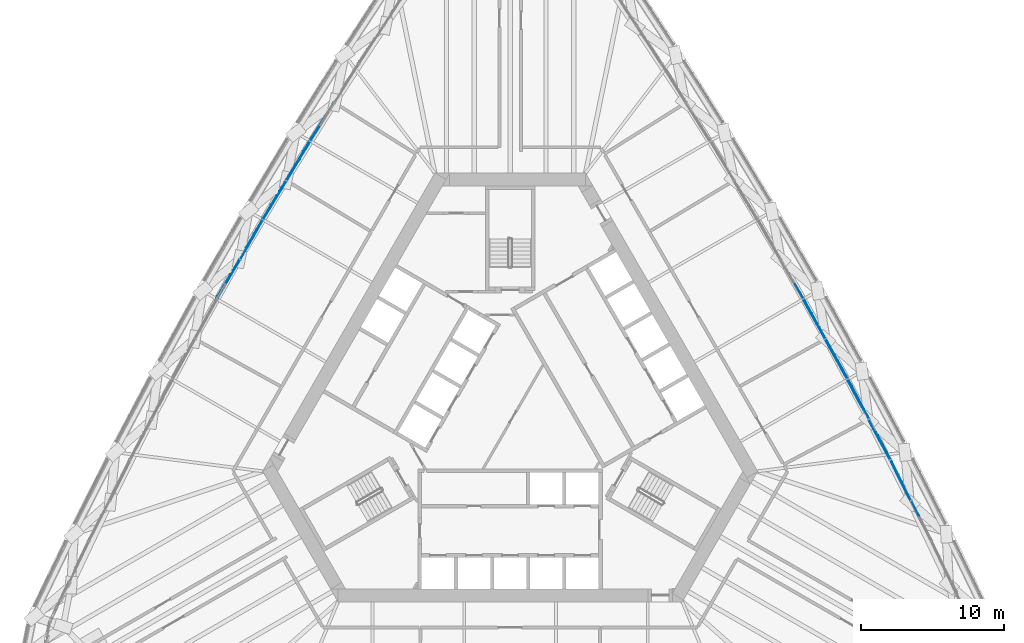
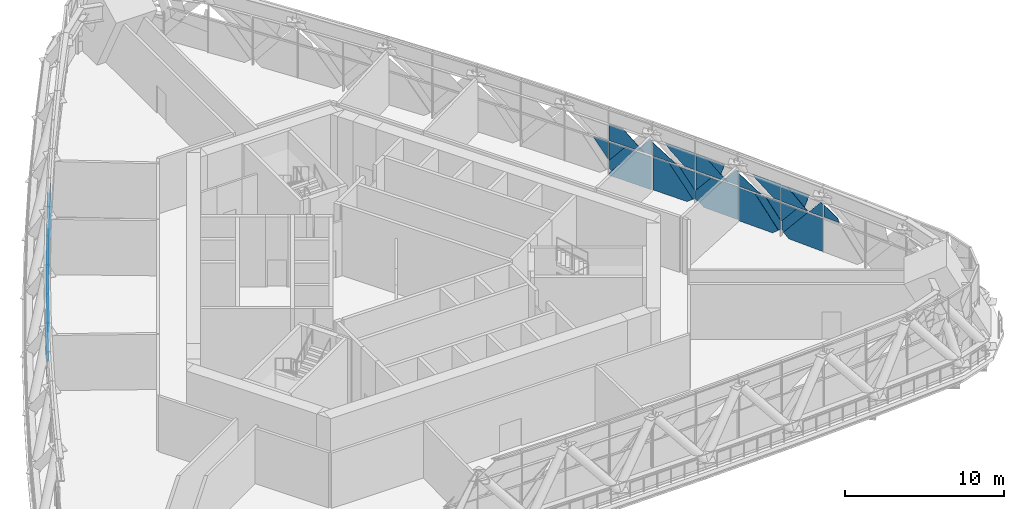
# One storey, part 17 of 43: 50 plates, 2 elements without a shape of their own.
"""IFC4 building model written with IfcOpenShell, lengths in metres."""

from ifc_helpers import new_model, si_unit, direction, frame, origin, place, context, subcontext, project, spatial, polyline, outline, extrude, material, layer, layer_set, type_object, element, aggregate, save


model = new_model("IFC4")

# Units and contexts
model_context = context("Model", 3, precision=1e-05, world=origin(), true_north=direction((0.0, 1.0)))
body_context = subcontext(model_context, "Body", "Model", "MODEL_VIEW")
ifc_project = project(units=[si_unit("LENGTHUNIT", "METRE"), si_unit("AREAUNIT", "SQUARE_METRE"), si_unit("VOLUMEUNIT", "CUBIC_METRE"), si_unit("PLANEANGLEUNIT", "RADIAN"), si_unit("MASSUNIT", "GRAM", prefix="KILO")], contexts=[model_context])

# Site, building, storey
site_placement = place(None, origin())
site = spatial("IfcSite", under=ifc_project, at=site_placement, CompositionType="ELEMENT")
building_placement = place(site_placement, origin())
building = spatial("IfcBuilding", under=site, at=building_placement, Name="Mestral Congress Tower", CompositionType="ELEMENT")
storey_placement = place(building_placement, frame((0.0, 0.0, 78.300048828125)))
storey = spatial("IfcBuildingStorey", under=building, at=storey_placement, Name="L18", CompositionType="ELEMENT", Elevation=78.300048828125)

# Curtain wall, plates
ifc_material_1 = material(Name="Clear low-emissivity double glazing", Category="glass")
curtain_wall_type = type_object("IfcCurtainWallType", Name="Facade refuge band screen", PredefinedType="USERDEFINED", material=ifc_material_1)
placement = place(storey_placement, origin())
curtain_wall_1 = element("IfcCurtainWall", 1, at=placement, inside=storey, type_object=curtain_wall_type, Name="Facade refuge band screen face 2", ObjectType="CURTAIN WALL", PredefinedType="USERDEFINED")
ifc_material_2 = material(Name="Anodised aluminium", Category="aluminium")
ifc_layer_1 = layer(ifc_material_2, 0.028076171875)
ifc_layer_set_1 = layer_set([ifc_layer_1], Name="Anodised aluminium")
plate_type_1 = type_object("IfcPlateType", Name="Facade refuge band screen brace cover panel", PredefinedType="CURTAIN_PANEL", material=ifc_layer_set_1)
plate_1_placement = place(storey_placement, frame((28.003662109375, -5.953857421875, 2.659912109375), z_axis=(0.892421570364, 0.451198245064, 0.001970888265), x_axis=(0.451199121238, -0.892423303704, 8.2812e-08)))
plate_1 = element("IfcPlate", 2, at=plate_1_placement, type_object=plate_type_1, Name="Facade refuge band screen brace cover panel", PredefinedType="CURTAIN_PANEL", context=body_context, shape_type="SweptSolid", body=[
    extrude(outline(polyline([(0.0, 0.0), (1.1612817964844817, 0.0), (0.9979398254442418, -0.3198247572733837), (-0.00011738598148192255, -0.9167499235659632), (0.0, 0.0)])), origin(), (0.0, 0.0, -1.0), 0.028076171875),
])
plate_2_placement = place(storey_placement, frame((26.572021484375, -3.10400390625, 0.470703125), z_axis=(0.892417331265, 0.451206223346, 0.002061764456), x_axis=(0.348886946284, -0.687133333746, -0.637279907394)))
plate_2 = element("IfcPlate", 3, at=plate_2_placement, type_object=plate_type_1, Name="Facade refuge band screen brace cover panel", PredefinedType="CURTAIN_PANEL", context=body_context, shape_type="SweptSolid", body=[
    extrude(outline(polyline([(0.0, 0.0), (0.19537977156843928, 0.0), (0.1945881506578273, -2.8461698590602467), (-0.4235940456022895, -2.3349582437687824), (-0.42281730382168925, -0.5111105998823913), (0.0, 0.0)])), origin(), (0.0, 0.0, -1.0), 0.028076171875),
])
plate_3_placement = place(storey_placement, frame((26.535400390625, -3.122314453125, 3.93798828125), z_axis=(0.892391780866, 0.451257096087, 0.001985616843), x_axis=(0.001737415959, 0.000964322122, -0.999998025732)))
plate_3 = element("IfcPlate", 4, at=plate_3_placement, type_object=plate_type_1, Name="Facade refuge band screen brace cover panel", PredefinedType="CURTAIN_PANEL", context=body_context, shape_type="SweptSolid", body=[
    extrude(outline(polyline([(0.0, 0.0), (1.2780786433259714, 2.168404344971009e-19), (1.2779277759706564, -1.97197460229375), (-3.371845656195693e-05, -0.4399027220455464), (0.0, 0.0)])), origin(), (0.0, 0.0, -1.0), 0.028076171875),
])
plate_4_placement = place(storey_placement, frame((26.760498046875, -3.50146484375, 3.93798828125), z_axis=(0.892361062615, 0.451317478214, 0.002065862074), x_axis=(0.347726641793, -0.68460515058, -0.640626232984)))
plate_4 = element("IfcPlate", 5, at=plate_4_placement, type_object=plate_type_1, Name="Facade refuge band screen brace cover panel", PredefinedType="CURTAIN_PANEL", context=body_context, shape_type="SweptSolid", body=[
    extrude(outline(polyline([(0.0, 0.0), (1.665393136152277, -1.1102230246251565e-16), (1.2772604343358218, -1.065633188653381), (0.0, 0.0)])), origin(), (0.0, 0.0, -1.0), 0.028076171875),
])
plate_5_placement = place(storey_placement, frame((27.94970703125, -5.913818359375, 2.659912109375), z_axis=(0.892398981868, 0.451242216782, 0.002125783271), x_axis=(-0.001849532893, -0.001053219685, 0.999997734976)))
plate_5 = element("IfcPlate", 6, at=plate_5_placement, type_object=plate_type_1, Name="Facade refuge band screen brace cover panel", PredefinedType="CURTAIN_PANEL", context=body_context, shape_type="SweptSolid", body=[
    extrude(outline(polyline([(0.0, 0.0), (0.9526387503622717, 1.3552527156068805e-20), (1.0595539124892266, -0.1785285844272701), (-0.00011112435849067919, -1.0540631949734258), (0.0, 0.0)])), origin(), (0.0, 0.0, -1.0), 0.028076171875),
])
plate_6_placement = place(storey_placement, frame((25.618896484375, -1.38330078125, 2.5400390625), z_axis=(0.883873931354, 0.467721032451, 0.001977188816), x_axis=(0.293398262034, -0.55114614681, -0.781124436113)))
plate_6 = element("IfcPlate", 7, at=plate_6_placement, type_object=plate_type_1, Name="Facade refuge band screen brace cover panel", PredefinedType="CURTAIN_PANEL", context=body_context, shape_type="SweptSolid", body=[
    extrude(outline(polyline([(0.0, 0.0), (2.8010757399871724, 2.220446049250313e-16), (2.80089974671918, -0.2007632270075721), (2.279178552853549, -0.6178858267812487), (0.4938289022363417, -0.6178067719663038), (0.0, 0.0)])), origin(), (0.0, 0.0, -1.0), 0.028076171875),
])
plate_7_placement = place(storey_placement, frame((25.02001953125, -0.315673828125, 2.659912109375), z_axis=(0.88389552774, 0.467680330079, 0.001950614867), x_axis=(0.467681219819, -0.883897209311, 0.0)))
plate_7 = element("IfcPlate", 8, at=plate_7_placement, type_object=plate_type_1, Name="Facade refuge band screen brace cover panel", PredefinedType="CURTAIN_PANEL", context=body_context, shape_type="SweptSolid", body=[
    extrude(outline(polyline([(0.0, 0.0), (1.6840480713642951, 0.0), (6.392097131594843e-05, -1.0085468405859344), (0.0, 0.0)])), origin(), (0.0, 0.0, -1.0), 0.028076171875),
])
plate_8_placement = place(storey_placement, frame((26.5341796875, -3.054931640625, 3.93798828125), z_axis=(0.883900723329, 0.467670385263, 0.001980415892), x_axis=(-0.467671302027, 0.88390245687, -2.00774e-07)))
plate_8 = element("IfcPlate", 9, at=plate_8_placement, type_object=plate_type_1, Name="Facade refuge band screen brace cover panel", PredefinedType="CURTAIN_PANEL", context=body_context, shape_type="SweptSolid", body=[
    extrude(outline(polyline([(0.0, 0.0), (2.12613248409108, 0.0), (1.8690380803798117, -0.2802737679730494), (0.536388798838373, -1.2780787522390995), (-6.253654364733296e-05, -1.2780790698111058), (0.0, 0.0)])), origin(), (0.0, 0.0, -1.0), 0.028076171875),
])
plate_9_placement = place(storey_placement, frame((23.52880859375, 2.503662109375, 0.4765625), z_axis=(0.883868660039, 0.46773050502, 0.002089611198), x_axis=(0.362712735729, -0.682582540069, -0.634445070383)))
plate_9 = element("IfcPlate", 10, at=plate_9_placement, type_object=plate_type_1, Name="Facade refuge band screen brace cover panel", PredefinedType="CURTAIN_PANEL", context=body_context, shape_type="SweptSolid", body=[
    extrude(outline(polyline([(0.0, 0.0), (0.19894701255908567, 1.3877787807814457e-17), (0.1989528298035299, -2.832859231511029), (-0.41821853159024225, -2.326288224226918), (-0.4181561294169964, -0.5095736810881834), (0.0, 0.0)])), origin(), (0.0, 0.0, -1.0), 0.028076171875),
])
plate_10_placement = place(storey_placement, frame((23.552734375, 2.51611328125, 3.93798828125), z_axis=(0.883877249179, 0.467714228572, 0.002099708455), x_axis=(0.001878917548, 0.000938546069, -0.999997794398)))
plate_10 = element("IfcPlate", 11, at=plate_10_placement, type_object=plate_type_1, Name="Facade refuge band screen brace cover panel", PredefinedType="CURTAIN_PANEL", context=body_context, shape_type="SweptSolid", body=[
    extrude(outline(polyline([(0.0, 0.0), (1.2780790858343303, 2.710505431213761e-20), (1.2781956777273706, -2.3699000933064047), (4.033863801386093e-05, -0.8173439057943083), (0.0, 0.0)])), origin(), (0.0, 0.0, -1.0), 0.028076171875),
])
plate_11_placement = place(storey_placement, frame((23.90869140625, 1.779541015625, 3.93798828125), z_axis=(0.883934325063, 0.467606636869, 0.002035222672), x_axis=(0.362189552523, -0.681894573996, -0.63548290142)))
plate_11 = element("IfcPlate", 12, at=plate_11_placement, type_object=plate_type_1, Name="Facade refuge band screen brace cover panel", PredefinedType="CURTAIN_PANEL", context=body_context, shape_type="SweptSolid", body=[
    extrude(outline(polyline([(0.0, 0.0), (1.3676853036600067, 1.1102230246251565e-16), (1.051350244819596, -0.8653082457256085), (0.0, 0.0)])), origin(), (0.0, 0.0, -1.0), 0.028076171875),
])
plate_12_placement = place(storey_placement, frame((24.68994140625, 0.4365234375, 2.659912109375), z_axis=(0.883944818686, 0.467587193932, 0.001942572907), x_axis=(0.467588076024, -0.883946486593, 8.8345e-08)))
plate_12 = element("IfcPlate", 13, at=plate_12_placement, type_object=plate_type_1, Name="Facade refuge band screen brace cover panel", PredefinedType="CURTAIN_PANEL", context=body_context, shape_type="SweptSolid", body=[
    extrude(outline(polyline([(0.0, 0.0), (0.7592387583454938, 0.0), (0.7593029788904664, -1.0444354446949244), (0.6177589048771361, -1.129152581937182), (-0.1843550855761074, -0.1518556897603997), (0.0, 0.0)])), origin(), (0.0, 0.0, -1.0), 0.028076171875),
])
plate_13_placement = place(storey_placement, frame((22.59912109375, 4.247802734375, 2.5400390625), z_axis=(0.875112985974, 0.48391440763, 0.002026787518), x_axis=(0.304772184074, -0.547888440163, -0.779058517026)))
plate_13 = element("IfcPlate", 14, at=plate_13_placement, type_object=plate_type_1, Name="Facade refuge band screen brace cover panel", PredefinedType="CURTAIN_PANEL", context=body_context, shape_type="SweptSolid", body=[
    extrude(outline(polyline([(0.0, 0.0), (2.805996198722438, 0.0), (2.80599857850836, -0.20210758995344946), (2.2904525176735975, -0.6167839192279316), (0.4965692408740955, -0.6170471663627585), (0.0, 0.0)])), origin(), (0.0, 0.0, -1.0), 0.028076171875),
])
plate_14_placement = place(storey_placement, frame((21.98583984375, 5.29443359375, 2.659912109375), z_axis=(0.875152683955, 0.483842375588, 0.00208215074), x_axis=(0.483843424405, -0.875154581009, 0.0)))
plate_14 = element("IfcPlate", 15, at=plate_14_placement, type_object=plate_type_1, Name="Facade refuge band screen brace cover panel", PredefinedType="CURTAIN_PANEL", context=body_context, shape_type="SweptSolid", body=[
    extrude(outline(polyline([(0.0, 0.0), (1.7519226411784934, 0.0), (-9.0363542774323e-05, -1.047853833909913), (0.0, 0.0)])), origin(), (0.0, 0.0, -1.0), 0.028076171875),
])
plate_15_placement = place(storey_placement, frame((23.550537109375, 2.583740234375, 3.93798828125), z_axis=(0.875124029384, 0.483894472005, 0.002018206656), x_axis=(-0.483895457648, 0.875125811565, 8.4997e-08)))
plate_15 = element("IfcPlate", 16, at=plate_15_placement, type_object=plate_type_1, Name="Facade refuge band screen brace cover panel", PredefinedType="CURTAIN_PANEL", context=body_context, shape_type="SweptSolid", body=[
    extrude(outline(polyline([(0.0, 0.0), (2.2187616704379463, -6.505213034913027e-19), (1.927614067110837, -0.3508309914407932), (0.7900773217792143, -1.2780786818986662), (4.913324777067354e-06, -1.278078641886557), (0.0, 0.0)])), origin(), (0.0, 0.0, -1.0), 0.028076171875),
])
plate_16_placement = place(storey_placement, frame((20.50244140625, 8.11865234375, 0.48046875), z_axis=(0.875135094329, 0.483874597769, 0.00198502094), x_axis=(0.375961744688, -0.677370044593, -0.632315260941)))
plate_16 = element("IfcPlate", 17, at=plate_16_placement, type_object=plate_type_1, Name="Facade refuge band screen brace cover panel", PredefinedType="CURTAIN_PANEL", context=body_context, shape_type="SweptSolid", body=[
    extrude(outline(polyline([(0.0, 0.0), (0.2011613468473091, -1.3877787807814457e-17), (0.19989945256221087, -2.821667318652726), (-0.4164030564243081, -2.318642245468425), (-0.4153828285599018, -0.5090039497809087), (0.0, 0.0)])), origin(), (0.0, 0.0, -1.0), 0.028076171875),
])
plate_17_placement = place(storey_placement, frame((20.466552734375, 8.098876953125, 3.93798828125), z_axis=(0.875126152423, 0.483890867284, 0.001961098008), x_axis=(0.001714306117, 0.000952405081, -0.999998077038)))
plate_17 = element("IfcPlate", 18, at=plate_17_placement, type_object=plate_type_1, Name="Facade refuge band screen brace cover panel", PredefinedType="CURTAIN_PANEL", context=body_context, shape_type="SweptSolid", body=[
    extrude(outline(polyline([(0.0, 0.0), (1.278078643572466, 1.5839516113655416e-19), (1.2780685235716234, -2.5665853661102607), (-3.917474994713033e-06, -0.9984629858787114), (0.0, 0.0)])), origin(), (0.0, 0.0, -1.0), 0.028076171875),
])
plate_18_placement = place(storey_placement, frame((22.007568359375, 5.375, 3.74365234375), z_axis=(0.875010986903, 0.484098675185, 0.002060457025), x_axis=(-0.416108476703, 0.749929517758, 0.514256214364)))
plate_18 = element("IfcPlate", 19, at=plate_18_placement, type_object=plate_type_1, Name="Facade refuge band screen brace cover panel", PredefinedType="CURTAIN_PANEL", context=body_context, shape_type="SweptSolid", body=[
    extrude(outline(polyline([(0.0, 0.0), (0.15049475968505843, 1.3877787807814457e-17), (0.31200104357410186, -1.1629232600776231), (-0.07473818066025284, -1.2188245264590176), (-0.5574005091070189, -0.929409669519466), (0.0, 0.0)])), origin(), (0.0, 0.0, -1.0), 0.028076171875),
])

curtain_wall_2 = element("IfcCurtainWall", 20, at=placement, inside=storey, type_object=curtain_wall_type, Name="Facade refuge band screen face 3", ObjectType="CURTAIN WALL", PredefinedType="USERDEFINED")
plate_19_placement = place(storey_placement, frame((-14.978271484375, 17.447509765625, 2.5400390625), z_axis=(-0.856682356454, 0.515840773085, 0.00190708253), x_axis=(0.322131407156, 0.537859827424, -0.779062361154)))
plate_19 = element("IfcPlate", 21, at=plate_19_placement, type_object=plate_type_1, Name="Facade refuge band screen brace cover panel", PredefinedType="CURTAIN_PANEL", context=body_context, shape_type="SweptSolid", body=[
    extrude(outline(polyline([(0.0, 0.0), (2.8059824961428648, 0.0), (2.8060208626686443, -0.20215386526302748), (2.290497412331601, -0.6168580148946878), (0.4964937267052436, -0.6169605639918518), (0.0, 0.0)])), origin(), (0.0, 0.0, -1.0), 0.028076171875),
])
plate_20_placement = place(storey_placement, frame((-15.578125, 16.39306640625, 2.659912109375), z_axis=(-0.856641795999, 0.515908236341, 0.001877504197), x_axis=(0.515909145638, 0.856643305844, 0.0)))
plate_20 = element("IfcPlate", 22, at=plate_20_placement, type_object=plate_type_1, Name="Facade refuge band screen brace cover panel", PredefinedType="CURTAIN_PANEL", context=body_context, shape_type="SweptSolid", body=[
    extrude(outline(polyline([(0.0, 0.0), (1.7518755024838826, 0.0), (4.511494045102409e-05, -1.0480975504100947), (0.0, 0.0)])), origin(), (0.0, 0.0, -1.0), 0.028076171875),
])
plate_21_placement = place(storey_placement, frame((-14.0126953125, 19.103515625, 3.93798828125), z_axis=(-0.856590024356, 0.515993572977, 0.002040299168), x_axis=(-0.515994646795, -0.856591807385, 1.03124e-07)))
plate_21 = element("IfcPlate", 23, at=plate_21_placement, type_object=plate_type_1, Name="Facade refuge band screen brace cover panel", PredefinedType="CURTAIN_PANEL", context=body_context, shape_type="SweptSolid", body=[
    extrude(outline(polyline([(0.0, 0.0), (2.2187661424104084, 0.0), (1.927395322698699, -0.35107509566155076), (0.7901718757692411, -1.2780788037183548), (8.800120416960605e-05, -1.2780786369853272), (0.0, 0.0)])), origin(), (0.0, 0.0, -1.0), 0.028076171875),
])
plate_22_placement = place(storey_placement, frame((-17.281982421875, 13.6962890625, 0.48046875), z_axis=(-0.856613480473, 0.515954884264, 0.00197546843), x_axis=(0.398514019839, 0.66405460717, -0.632627895914)))
plate_22 = element("IfcPlate", 24, at=plate_22_placement, type_object=plate_type_1, Name="Facade refuge band screen brace cover panel", PredefinedType="CURTAIN_PANEL", context=body_context, shape_type="SweptSolid", body=[
    extrude(outline(polyline([(0.0, 0.0), (0.20106191464847736, 0.0), (0.19875287484472626, -2.8217409647825487), (-0.4172819093250907, -2.3185205419046824), (-0.4157226014762944, -0.5087259620194502), (0.0, 0.0)])), origin(), (0.0, 0.0, -1.0), 0.028076171875),
])
plate_23_placement = place(storey_placement, frame((-17.2470703125, 13.67529296875, 3.93798828125), z_axis=(-0.856595466985, 0.515984238846, 0.002114521972), x_axis=(-0.001846864045, 0.001032011891, -0.99999776202)))
plate_23 = element("IfcPlate", 25, at=plate_23_placement, type_object=plate_type_1, Name="Facade refuge band screen brace cover panel", PredefinedType="CURTAIN_PANEL", context=body_context, shape_type="SweptSolid", body=[
    extrude(outline(polyline([(0.0, 0.0), (1.278078629396884, -1.4907779871675686e-19), (1.2779020933888896, -2.5667042885011533), (-6.923641221624202e-05, -0.99851215396262), (0.0, 0.0)])), origin(), (0.0, 0.0, -1.0), 0.028076171875),
])
plate_24_placement = place(storey_placement, frame((-15.65869140625, 16.37158203125, 3.743896484375), z_axis=(-0.856695901427, 0.515818053837, 0.001966675815), x_axis=(-0.442016599613, -0.736077431395, 0.512651285629)))
plate_24 = element("IfcPlate", 26, at=plate_24_placement, type_object=plate_type_1, Name="Facade refuge band screen brace cover panel", PredefinedType="CURTAIN_PANEL", context=body_context, shape_type="SweptSolid", body=[
    extrude(outline(polyline([(0.0, 0.0), (0.15048961797045016, 1.3877787807814457e-17), (0.31420673340015354, -1.1623560447217742), (-0.07261897343916424, -1.2191504044041306), (-0.5558491160040028, -0.9306225307682024), (0.0, 0.0)])), origin(), (0.0, 0.0, -1.0), 0.028076171875),
])
plate_25_placement = place(storey_placement, frame((-18.243896484375, 11.955322265625, 2.5400390625), z_axis=(-0.866072052268, 0.499915442064, 0.001936766933), x_axis=(0.31337590092, 0.545914387622, -0.777028330313)))
plate_25 = element("IfcPlate", 27, at=plate_25_placement, type_object=plate_type_1, Name="Facade refuge band screen brace cover panel", PredefinedType="CURTAIN_PANEL", context=body_context, shape_type="SweptSolid", body=[
    extrude(outline(polyline([(0.0, 0.0), (2.812698626695275, -4.440892098500626e-16), (2.8127351486455696, -0.20211742120261555), (2.3015983567838694, -0.6164251968123033), (0.4993747377352396, -0.6164442118332218), (0.0, 0.0)])), origin(), (0.0, 0.0, -1.0), 0.028076171875),
])
plate_26_placement = place(storey_placement, frame((-18.818603515625, 10.8994140625, 2.659912109375), z_axis=(-0.86595912671, 0.500110355208, 0.002103207169), x_axis=(0.500111461326, 0.865961041993, 0.0)))
plate_26 = element("IfcPlate", 28, at=plate_26_placement, type_object=plate_type_1, Name="Facade refuge band screen brace cover panel", PredefinedType="CURTAIN_PANEL", context=body_context, shape_type="SweptSolid", body=[
    extrude(outline(polyline([(0.0, 0.0), (1.7383820065218427, 2.168404344971009e-19), (0.0001311151178313982, -1.036379245329173), (0.0, 0.0)])), origin(), (0.0, 0.0, -1.0), 0.028076171875),
])
plate_27_placement = place(storey_placement, frame((-17.3037109375, 13.63818359375, 3.93798828125), z_axis=(-0.866029629901, 0.499988531202, 0.002036860142), x_axis=(-0.499989568439, -0.866031426365, -3.2772e-08)))
plate_27 = element("IfcPlate", 29, at=plate_27_placement, type_object=plate_type_1, Name="Facade refuge band screen brace cover panel", PredefinedType="CURTAIN_PANEL", context=body_context, shape_type="SweptSolid", body=[
    extrude(outline(polyline([(0.0, 0.0), (2.2558435742096408, 0.0), (2.0317575852038625, -0.27710014354498885), (0.7947987131067545, -1.2780788268217977), (-0.00016994894613088892, -1.278078888390267), (0.0, 0.0)])), origin(), (0.0, 0.0, -1.0), 0.028076171875),
])
plate_28_placement = place(storey_placement, frame((-20.491455078125, 8.1826171875, 0.481689453125), z_axis=(-0.866063653199, 0.499929399055, 0.00208436293), x_axis=(0.387469295406, 0.673863870486, -0.62910653245)))
plate_28 = element("IfcPlate", 30, at=plate_28_placement, type_object=plate_type_1, Name="Facade refuge band screen brace cover panel", PredefinedType="CURTAIN_PANEL", context=body_context, shape_type="SweptSolid", body=[
    extrude(outline(polyline([(0.0, 0.0), (0.20218705736399906, 0.0), (0.20362155225251422, -2.8128180586379505), (-0.4132154595767277, -2.3135924262525727), (-0.4139468628142888, -0.5114294122810056), (0.0, 0.0)])), origin(), (0.0, 0.0, -1.0), 0.028076171875),
])
plate_29_placement = place(storey_placement, frame((-20.43701171875, 8.151123046875, 3.93798828125), z_axis=(-0.866006634149, 0.500028061356, 0.002108901722), x_axis=(-0.001759867719, 0.001169614146, -0.999997767432)))
plate_29 = element("IfcPlate", 31, at=plate_29_placement, type_object=plate_type_1, Name="Facade refuge band screen brace cover panel", PredefinedType="CURTAIN_PANEL", context=body_context, shape_type="SweptSolid", body=[
    extrude(outline(polyline([(0.0, 0.0), (1.278078898681454, -2.439454888092385e-19), (1.2784190187460998, -2.558060160885483), (0.00012997205561057052, -0.9788428166877571), (0.0, 0.0)])), origin(), (0.0, 0.0, -1.0), 0.028076171875),
])
plate_30_placement = place(storey_placement, frame((-18.898681640625, 10.87646484375, 3.73193359375), z_axis=(-0.865979140447, 0.50007664631, 0.001864436952), x_axis=(-0.428691159274, -0.744270808316, 0.512137534114)))
plate_30 = element("IfcPlate", 32, at=plate_30_placement, type_object=plate_type_1, Name="Facade refuge band screen brace cover panel", PredefinedType="CURTAIN_PANEL", context=body_context, shape_type="SweptSolid", body=[
    extrude(outline(polyline([(0.0, 0.0), (0.1692318935561791, -1.3877787807814457e-17), (0.3235327043427316, -1.1585019213975372), (-0.05842549888022913, -1.2132935354030283), (-0.5490166399934078, -0.9207685188736265), (0.0, 0.0)])), origin(), (0.0, 0.0, -1.0), 0.028076171875),
])

# Plate
ifc_layer_2 = layer(ifc_material_1, 0.028076171875)
ifc_layer_set_2 = layer_set([ifc_layer_2], Name="Clear low-emissivity double glazing")
plate_type_2 = type_object("IfcPlateType", Name="Facade refuge band screen panel", PredefinedType="CURTAIN_PANEL", material=ifc_layer_set_2)
plate_31_placement = place(storey_placement, frame((26.54150390625, -3.119384765625, 2.5400390625), z_axis=(0.892441516115, 0.451158920438, 0.001941345679), x_axis=(0.001736409299, 0.00086820465, -0.99999811555)))
plate_31 = element("IfcPlate", 33, at=plate_31_placement, type_object=plate_type_2, Name="Refuge screen glass unit", PredefinedType="CURTAIN_PANEL", context=body_context, shape_type="SweptSolid", body=[
    extrude(outline(polyline([(0.0, 0.0), (1.4060085089278191, -6.098637220230962e-20), (9.962309213120031e-06, -1.161827707172935), (0.0, 0.0)])), origin(), (0.0, 0.0, -1.0), 0.028076171875),
])

plate_32_placement = place(storey_placement, frame((26.776123046875, -3.638916015625, 0.0), z_axis=(0.892425163273, 0.45119136768, 0.001917729799), x_axis=(0.451192197578, -0.892426804195, -1.31154e-07)))
plate_32 = element("IfcPlate", 34, at=plate_32_placement, type_object=plate_type_2, Name="Refuge screen glass unit", PredefinedType="CURTAIN_PANEL", context=body_context, shape_type="SweptSolid", body=[
    extrude(outline(polyline([(0.0, 0.0), (2.559603385445504, 0.0), (2.559799050475153, -2.540044025196924), (1.3941499766822913, -2.5400437587253526), (-0.4188326029575487, -0.34619174435307176), (0.0, 0.0)])), origin(), (0.0, 0.0, -1.0), 0.028076171875),
])

plate_33_placement = place(storey_placement, frame((26.53662109375, -3.0537109375, 2.5400390625), z_axis=(0.883940235753, 0.4675947481, 0.002193436814), x_axis=(-0.467595872942, 0.883942362152, 0.0)))
plate_33 = element("IfcPlate", 35, at=plate_33_placement, type_object=plate_type_2, Name="Refuge screen glass unit", PredefinedType="CURTAIN_PANEL", context=body_context, shape_type="SweptSolid", body=[
    extrude(outline(polyline([(0.0, 0.0), (1.1147237701119037, 0.0), (3.908680921591609e-05, -1.3945346046721152), (0.0, 0.0)])), origin(), (0.0, 0.0, -1.0), 0.028076171875),
])

plate_34_placement = place(storey_placement, frame((25.020263671875, -0.3154296875, 2.5400390625), z_axis=(0.883922359253, 0.467629484192, 0.001982000836), x_axis=(0.00179372383, 0.000847860003, -0.999998031842)))
plate_34 = element("IfcPlate", 36, at=plate_34_placement, type_object=plate_type_2, Name="Refuge screen glass unit", PredefinedType="CURTAIN_PANEL", context=body_context, shape_type="SweptSolid", body=[
    extrude(outline(polyline([(0.0, 0.0), (2.5400442467721813, 1.0842021724855044e-19), (2.5402701828570637, -2.5318535068725354), (2.1882584565346908, -2.972433706946554), (0.00010928246679442488, -1.2238264918862256), (0.0, 0.0)])), origin(), (0.0, 0.0, -1.0), 0.028076171875),
])

plate_35_placement = place(storey_placement, frame((23.555419921875, 2.517578125, 2.5400390625), z_axis=(0.883981973348, 0.467516945885, 0.001943220526), x_axis=(0.001738522446, 0.000869261223, -0.999998110961)))
plate_35 = element("IfcPlate", 37, at=plate_35_placement, type_object=plate_type_2, Name="Refuge screen glass unit", PredefinedType="CURTAIN_PANEL", context=body_context, shape_type="SweptSolid", body=[
    extrude(outline(polyline([(0.0, 0.0), (1.404299527777234, 1.3552527156068805e-20), (5.114549676451879e-05, -1.1525086871570984), (0.0, 0.0)])), origin(), (0.0, 0.0, -1.0), 0.028076171875),
])

plate_36_placement = place(storey_placement, frame((23.861572265625, 2.0224609375, 0.0), z_axis=(0.883921841893, 0.467630338555, 0.002010941768), x_axis=(0.467631283942, -0.883923629212, 7.7564e-08)))
plate_36 = element("IfcPlate", 38, at=plate_36_placement, type_object=plate_type_2, Name="Refuge screen glass unit", PredefinedType="CURTAIN_PANEL", context=body_context, shape_type="SweptSolid", body=[
    extrude(outline(polyline([(0.0, 0.0), (2.5484549862444066, 0.0), (2.5485581796428285, -2.5400440338820087), (1.3702715560895746, -2.5400441746517615), (-0.42714530760343933, -0.350342698066143), (0.0, 0.0)])), origin(), (0.0, 0.0, -1.0), 0.028076171875),
])

plate_37_placement = place(storey_placement, frame((22.03857421875, 5.323486328125, 2.5400390625), z_axis=(0.875108302312, 0.483922838678, 0.002036032857), x_axis=(0.00180237929, 0.000947984922, -0.999997926375)))
plate_37 = element("IfcPlate", 39, at=plate_37_placement, type_object=plate_type_2, Name="Refuge screen glass unit", PredefinedType="CURTAIN_PANEL", context=body_context, shape_type="SweptSolid", body=[
    extrude(outline(polyline([(0.0, 0.0), (2.5400444704728953, 2.710505431213761e-19), (2.540152228311784, -2.531727083144169), (2.1861664393828195, -2.97188197028106), (5.1764979559855906e-05, -1.212757955551911), (0.0, 0.0)])), origin(), (0.0, 0.0, -1.0), 0.028076171875),
])

plate_38_placement = place(storey_placement, frame((23.500244140625, 2.55615234375, 2.5400390625), z_axis=(0.875116493113, 0.483908375874, 0.001951215163), x_axis=(-0.483909297055, 0.875118159007, 0.0)))
plate_38 = element("IfcPlate", 40, at=plate_38_placement, type_object=plate_type_2, Name="Refuge screen glass unit", PredefinedType="CURTAIN_PANEL", context=body_context, shape_type="SweptSolid", body=[
    extrude(outline(polyline([(0.0, 0.0), (1.1245691216046538, 0.0), (-0.00011315971081784365, -1.3977077388323673), (0.0, 0.0)])), origin(), (0.0, 0.0, -1.0), 0.028076171875),
])

plate_39_placement = place(storey_placement, frame((21.958740234375, 5.347900390625, 2.5400390625), z_axis=(0.875141829767, 0.483862311721, 0.002010245562), x_axis=(-0.483863289258, 0.875143598107, -7.4588e-08)))
plate_39 = element("IfcPlate", 41, at=plate_39_placement, type_object=plate_type_2, Name="Refuge screen glass unit", PredefinedType="CURTAIN_PANEL", context=body_context, shape_type="SweptSolid", body=[
    extrude(outline(polyline([(0.0, 0.0), (1.1903494219931732, -2.168404344971009e-19), (3.129378014283359, -2.377934253982245), (3.1294735537940026, -2.5400439684026703), (0.00022407626734545586, -2.5400442735016022), (0.0, 0.0)])), origin(), (0.0, 0.0, -1.0), 0.028076171875),
])

plate_40_placement = place(storey_placement, frame((20.470703125, 8.10107421875, 2.5400390625), z_axis=(0.875080056123, 0.483973283052, 0.002180978297), x_axis=(0.001914703888, 0.001044383939, -0.999997621583)))
plate_40 = element("IfcPlate", 42, at=plate_40_placement, type_object=plate_type_2, Name="Refuge screen glass unit", PredefinedType="CURTAIN_PANEL", context=body_context, shape_type="SweptSolid", body=[
    extrude(outline(polyline([(0.0, 0.0), (1.4025912265721316, -7.453889935837843e-20), (1.4576159304749165e-05, -1.1435868463839598), (0.0, 0.0)])), origin(), (0.0, 0.0, -1.0), 0.028076171875),
])

plate_41_placement = place(storey_placement, frame((20.46533203125, 8.16748046875, 2.5400390625), z_axis=(0.866047609129, 0.499957404574, 0.002032813898), x_axis=(-0.499958437573, 0.866049398533, 0.0)))
plate_41 = element("IfcPlate", 43, at=plate_41_placement, type_object=plate_type_2, Name="Refuge screen glass unit", PredefinedType="CURTAIN_PANEL", context=body_context, shape_type="SweptSolid", body=[
    extrude(outline(polyline([(0.0, 0.0), (1.1343716382273734, -2.168404344971009e-19), (4.802539440234789e-05, -1.4003935184487044), (0.0, 0.0)])), origin(), (0.0, 0.0, -1.0), 0.028076171875),
])

aggregate(curtain_wall_1, [plate_1, plate_31, plate_32, plate_2, plate_3, plate_4, plate_5, plate_33, plate_34, plate_6, plate_7, plate_8, plate_35, plate_36, plate_9, plate_10, plate_11, plate_12, plate_37, plate_38, plate_13, plate_14, plate_15, plate_39, plate_40, plate_16, plate_17, plate_18, plate_41])

plate_42_placement = place(storey_placement, frame((-13.9580078125, 19.140625, 2.5400390625), z_axis=(-0.846983862392, 0.531615277471, 0.001879789017), x_axis=(-0.001564670391, 0.001043113594, -0.999998231859)))
plate_42 = element("IfcPlate", 44, at=plate_42_placement, type_object=plate_type_2, Name="Refuge screen glass unit", PredefinedType="CURTAIN_PANEL", context=body_context, shape_type="SweptSolid", body=[
    extrude(outline(polyline([(0.0, 0.0), (1.4042993579996412, -2.439454888092385e-19), (5.959193870447505e-05, -1.1526980341142823), (0.0, 0.0)])), origin(), (0.0, 0.0, -1.0), 0.028076171875),
])

plate_43_placement = place(storey_placement, frame((-13.682373046875, 19.6533203125, 0.0), z_axis=(-0.846941640101, 0.531682090129, 0.002003321911), x_axis=(0.53168315711, 0.846943339572, 4.6054e-08)))
plate_43 = element("IfcPlate", 45, at=plate_43_placement, type_object=plate_type_2, Name="Refuge screen glass unit", PredefinedType="CURTAIN_PANEL", context=body_context, shape_type="SweptSolid", body=[
    extrude(outline(polyline([(0.0, 0.0), (2.5488394076206338, 4.336808689942018e-19), (2.5485649380746787, -2.5400441280136414), (1.3704017520455207, -2.5400440514176346), (-0.4269744123874969, -0.35034276159280786), (0.0, 0.0)])), origin(), (0.0, 0.0, -1.0), 0.028076171875),
])

plate_44_placement = place(storey_placement, frame((-15.629638671875, 16.42431640625, 2.5400390625), z_axis=(-0.856632153002, 0.515923696188, 0.002023401563), x_axis=(-0.001769033644, 0.000984615206, -0.999997950524)))
plate_44 = element("IfcPlate", 46, at=plate_44_placement, type_object=plate_type_2, Name="Refuge screen glass unit", PredefinedType="CURTAIN_PANEL", context=body_context, shape_type="SweptSolid", body=[
    extrude(outline(polyline([(0.0, 0.0), (2.5400440346710917, -5.421010862427522e-20), (2.53986898376647, -2.5318684146471946), (2.185833760283247, -2.9720645862065553), (-8.410535353010657e-05, -1.2127178713013058), (0.0, 0.0)])), origin(), (0.0, 0.0, -1.0), 0.028076171875),
])

plate_45_placement = place(storey_placement, frame((-13.9638671875, 19.073974609375, 2.5400390625), z_axis=(-0.856647533902, 0.515898451504, 0.001946893903), x_axis=(-0.515899429236, -0.856649157423, 0.0)))
plate_45 = element("IfcPlate", 47, at=plate_45_placement, type_object=plate_type_2, Name="Refuge screen glass unit", PredefinedType="CURTAIN_PANEL", context=body_context, shape_type="SweptSolid", body=[
    extrude(outline(polyline([(0.0, 0.0), (1.1248747967879766, 0.0), (0.00021380578741336418, -1.3977077270603087), (0.0, 0.0)])), origin(), (0.0, 0.0, -1.0), 0.028076171875),
])

plate_46_placement = place(storey_placement, frame((-15.61083984375, 16.343017578125, 2.5400390625), z_axis=(-0.856610149644, 0.515960540952, 0.001942088246), x_axis=(-0.515961514023, -0.856611765065, -2.5473e-08)))
plate_46 = element("IfcPlate", 48, at=plate_46_placement, type_object=plate_type_2, Name="Refuge screen glass unit", PredefinedType="CURTAIN_PANEL", context=body_context, shape_type="SweptSolid", body=[
    extrude(outline(polyline([(0.0, 0.0), (1.1904849882706814, 0.0), (3.1293594113426546, -2.3781783851687788), (3.1294853826322884, -2.5400437204423456), (0.00017613638145127532, -2.5400440295542057), (0.0, 0.0)])), origin(), (0.0, 0.0, -1.0), 0.028076171875),
])

plate_47_placement = place(storey_placement, frame((-17.251220703125, 13.677490234375, 2.5400390625), z_axis=(-0.856623639671, 0.515938035655, 0.001970614274), x_axis=(-0.001566576549, 0.001218448427, -0.999998030609)))
plate_47 = element("IfcPlate", 49, at=plate_47_placement, type_object=plate_type_2, Name="Refuge screen glass unit", PredefinedType="CURTAIN_PANEL", context=body_context, shape_type="SweptSolid", body=[
    extrude(outline(polyline([(0.0, 0.0), (1.4025906528747822, 4.336808689942018e-19), (0.00026934033662076053, -1.1437162754660366), (0.0, 0.0)])), origin(), (0.0, 0.0, -1.0), 0.028076171875),
])

plate_48_placement = place(storey_placement, frame((-17.305908203125, 13.6396484375, 2.5400390625), z_axis=(-0.865954140403, 0.500118643712, 0.002183787902), x_axis=(-0.500119836232, -0.865956205248, 0.0)))
plate_48 = element("IfcPlate", 50, at=plate_48_placement, type_object=plate_type_2, Name="Refuge screen glass unit", PredefinedType="CURTAIN_PANEL", context=body_context, shape_type="SweptSolid", body=[
    extrude(outline(polyline([(0.0, 0.0), (1.1344937180958412, 2.168404344971009e-19), (7.460472828630044e-05, -1.400393964194096), (0.0, 0.0)])), origin(), (0.0, 0.0, -1.0), 0.028076171875),
])

plate_49_placement = place(storey_placement, frame((-18.818603515625, 10.899658203125, 2.5400390625), z_axis=(-0.866060807581, 0.499934636681, 0.002009133795), x_axis=(-0.001756287561, 0.000976283458, -0.99999798116)))
plate_49 = element("IfcPlate", 51, at=plate_49_placement, type_object=plate_type_2, Name="Refuge screen glass unit", PredefinedType="CURTAIN_PANEL", context=body_context, shape_type="SweptSolid", body=[
    extrude(outline(polyline([(0.0, 0.0), (2.5400440361333283, -2.0328790734103208e-19), (2.539961909282036, -2.5347413318869454), (2.185454406400835, -2.9721905271028493), (-3.895197753855679e-05, -1.2014160882983997), (0.0, 0.0)])), origin(), (0.0, 0.0, -1.0), 0.028076171875),
])

plate_50_placement = place(storey_placement, frame((-18.8505859375, 10.8486328125, 2.5400390625), z_axis=(-0.866031374865, 0.499985575483, 0.002020410417), x_axis=(-0.499986596233, -0.866033142314, -1.49716e-07)))
plate_50 = element("IfcPlate", 52, at=plate_50_placement, type_object=plate_type_2, Name="Refuge screen glass unit", PredefinedType="CURTAIN_PANEL", context=body_context, shape_type="SweptSolid", body=[
    extrude(outline(polyline([(0.0, 0.0), (1.2015381508482126, 0.0), (3.129082736412011, -2.3796429215290233), (3.1293268945066366, -2.5400438391016653), (-0.00012818559389439182, -2.5400442803985115), (0.0, 0.0)])), origin(), (0.0, 0.0, -1.0), 0.028076171875),
])

aggregate(curtain_wall_2, [plate_42, plate_43, plate_44, plate_45, plate_19, plate_20, plate_21, plate_46, plate_47, plate_22, plate_23, plate_24, plate_48, plate_49, plate_25, plate_26, plate_27, plate_50, plate_28, plate_29, plate_30])

save(model, "model.ifc")
